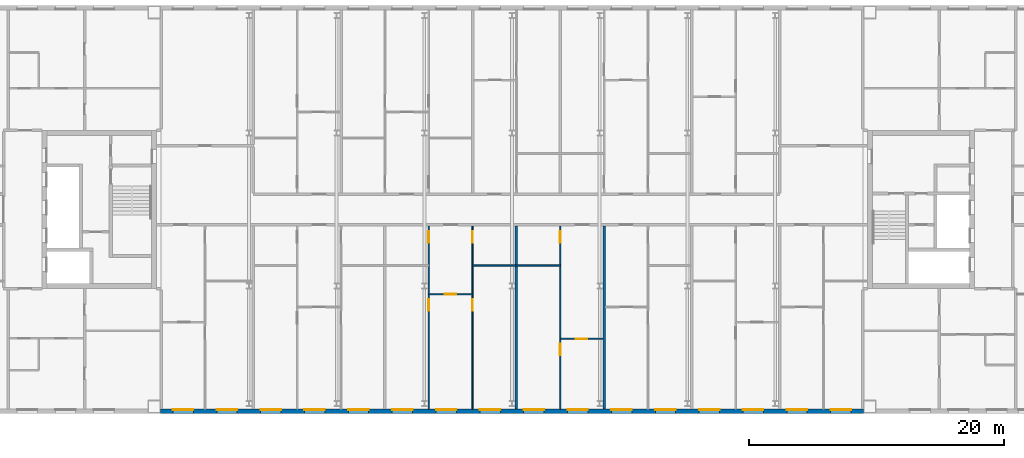
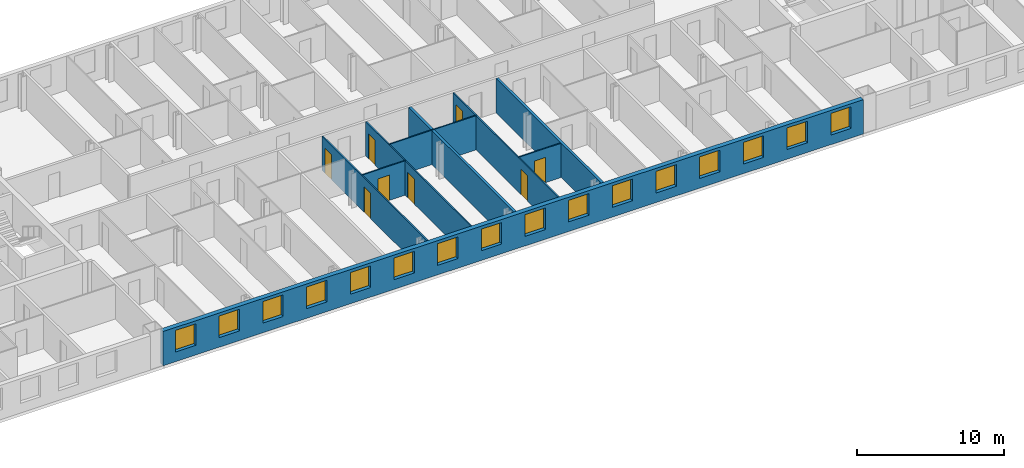
# One storey, part 10 of 19: 16 windows, 9 walls, 8 doors, 24 openings.
"""IFC4 building model written with IfcOpenShell, lengths in metres."""

from ifc_helpers import new_model, si_unit, direction, frame, frame_2d, origin, place, context, subcontext, project, spatial, rectangle, extrude, material, layer, layer_set, type_object, element, fill, save


model = new_model("IFC4")

# Units and contexts
model_context = context("Model", 3, precision=1e-05, world=origin(), true_north=direction((0.0, 1.0)))
body_context = subcontext(model_context, "Body", "Model", "MODEL_VIEW")
ifc_project = project(units=[si_unit("LENGTHUNIT", "METRE"), si_unit("AREAUNIT", "SQUARE_METRE"), si_unit("VOLUMEUNIT", "CUBIC_METRE"), si_unit("PLANEANGLEUNIT", "RADIAN"), si_unit("MASSUNIT", "GRAM", prefix="KILO")], contexts=[model_context])

# Site, building, storey
site_placement = place(None, origin())
site = spatial("IfcSite", under=ifc_project, at=site_placement, CompositionType="ELEMENT")
building_placement = place(site_placement, origin())
building = spatial("IfcBuilding", under=site, at=building_placement, Name="Tuart Gate Housing", CompositionType="ELEMENT")
storey_placement = place(building_placement, frame((0.0, 0.0, 227.60009765625)))
storey = spatial("IfcBuildingStorey", under=building, at=storey_placement, Name="L64", CompositionType="ELEMENT", Elevation=227.60009765625)

# Wall, openings, windows
ifc_material_1 = material(Name="Brick", Category="masonry")
ifc_layer_1 = layer(ifc_material_1, 0.360107421875)
ifc_layer_set_1 = layer_set([ifc_layer_1], Name="Brick pier and spandrel wall 360")
wall_type_1 = type_object("IfcWallType", Name="Brick pier and spandrel wall 360", PredefinedType="STANDARD", material=ifc_layer_set_1)
wall_1_placement = place(storey_placement, frame((75.949951171875, 54.179931640625, 0.0), z_axis=(0.0, 0.0, 1.0), x_axis=(1.0, 0.0, 0.0)))
wall_1 = element("IfcWall", 1, at=wall_1_placement, inside=storey, type_object=wall_type_1, Name="External wall BLK-S L64", PredefinedType="STANDARD", context=body_context, shape_type="SweptSolid", body=[
    extrude(rectangle(XDim=55.10009765625, YDim=0.360107421875, at=frame_2d((27.550048828125, 0.0))), origin(), (0.0, 0.0, 1.0), 2.849853515625),
])
opening_1_placement = place(wall_1_placement, frame((0.96875, 0.0, 0.800048828125)))
opening_1 = element("IfcOpeningElement", 2, at=opening_1_placement, cuts=wall_1, Name="Opening W1", PredefinedType="OPENING", context=body_context, shape_type="SweptSolid", body=[
    extrude(rectangle(XDim=1.60009765625, YDim=1.800048828125, at=frame_2d((0.800048828125, 0.89990234375))), frame((0.0, 0.18994140625, 0.0), z_axis=(0.0, -1.0, 0.0), x_axis=(1.0, 0.0, 0.0)), (0.0, 0.0, 1.0), 0.380126953125),
])
opening_2_placement = place(wall_1_placement, frame((4.40625, 0.0, 0.800048828125)))
opening_2 = element("IfcOpeningElement", 3, at=opening_2_placement, cuts=wall_1, Name="Opening W1", PredefinedType="OPENING", context=body_context, shape_type="SweptSolid", body=[
    extrude(rectangle(XDim=1.60009765625, YDim=1.800048828125, at=frame_2d((0.800048828125, 0.89990234375))), frame((0.0, 0.18994140625, 0.0), z_axis=(0.0, -1.0, 0.0), x_axis=(1.0, 0.0, 0.0)), (0.0, 0.0, 1.0), 0.380126953125),
])
opening_3_placement = place(wall_1_placement, frame((7.84375, 0.0, 0.800048828125)))
opening_3 = element("IfcOpeningElement", 4, at=opening_3_placement, cuts=wall_1, Name="Opening W1", PredefinedType="OPENING", context=body_context, shape_type="SweptSolid", body=[
    extrude(rectangle(XDim=1.60009765625, YDim=1.800048828125, at=frame_2d((0.800048828125, 0.89990234375))), frame((0.0, 0.18994140625, 0.0), z_axis=(0.0, -1.0, 0.0), x_axis=(1.0, 0.0, 0.0)), (0.0, 0.0, 1.0), 0.380126953125),
])
opening_4_placement = place(wall_1_placement, frame((11.28125, 0.0, 0.800048828125)))
opening_4 = element("IfcOpeningElement", 5, at=opening_4_placement, cuts=wall_1, Name="Opening W1", PredefinedType="OPENING", context=body_context, shape_type="SweptSolid", body=[
    extrude(rectangle(XDim=1.60009765625, YDim=1.800048828125, at=frame_2d((0.800048828125, 0.89990234375))), frame((0.0, 0.18994140625, 0.0), z_axis=(0.0, -1.0, 0.0), x_axis=(1.0, 0.0, 0.0)), (0.0, 0.0, 1.0), 0.380126953125),
])
opening_5_placement = place(wall_1_placement, frame((14.71875, 0.0, 0.800048828125)))
opening_5 = element("IfcOpeningElement", 6, at=opening_5_placement, cuts=wall_1, Name="Opening W1", PredefinedType="OPENING", context=body_context, shape_type="SweptSolid", body=[
    extrude(rectangle(XDim=1.60009765625, YDim=1.800048828125, at=frame_2d((0.800048828125, 0.89990234375))), frame((0.0, 0.18994140625, 0.0), z_axis=(0.0, -1.0, 0.0), x_axis=(1.0, 0.0, 0.0)), (0.0, 0.0, 1.0), 0.380126953125),
])
opening_6_placement = place(wall_1_placement, frame((18.15625, 0.0, 0.800048828125)))
opening_6 = element("IfcOpeningElement", 7, at=opening_6_placement, cuts=wall_1, Name="Opening W1", PredefinedType="OPENING", context=body_context, shape_type="SweptSolid", body=[
    extrude(rectangle(XDim=1.60009765625, YDim=1.800048828125, at=frame_2d((0.800048828125, 0.89990234375))), frame((0.0, 0.18994140625, 0.0), z_axis=(0.0, -1.0, 0.0), x_axis=(1.0, 0.0, 0.0)), (0.0, 0.0, 1.0), 0.380126953125),
])
opening_7_placement = place(wall_1_placement, frame((21.59375, 0.0, 0.800048828125)))
opening_7 = element("IfcOpeningElement", 8, at=opening_7_placement, cuts=wall_1, Name="Opening W1", PredefinedType="OPENING", context=body_context, shape_type="SweptSolid", body=[
    extrude(rectangle(XDim=1.60009765625, YDim=1.800048828125, at=frame_2d((0.800048828125, 0.89990234375))), frame((0.0, 0.18994140625, 0.0), z_axis=(0.0, -1.0, 0.0), x_axis=(1.0, 0.0, 0.0)), (0.0, 0.0, 1.0), 0.380126953125),
])
opening_8_placement = place(wall_1_placement, frame((25.03125, 0.0, 0.800048828125)))
opening_8 = element("IfcOpeningElement", 9, at=opening_8_placement, cuts=wall_1, Name="Opening W1", PredefinedType="OPENING", context=body_context, shape_type="SweptSolid", body=[
    extrude(rectangle(XDim=1.60009765625, YDim=1.800048828125, at=frame_2d((0.800048828125, 0.89990234375))), frame((0.0, 0.18994140625, 0.0), z_axis=(0.0, -1.0, 0.0), x_axis=(1.0, 0.0, 0.0)), (0.0, 0.0, 1.0), 0.380126953125),
])
opening_9_placement = place(wall_1_placement, frame((28.46875, 0.0, 0.800048828125)))
opening_9 = element("IfcOpeningElement", 10, at=opening_9_placement, cuts=wall_1, Name="Opening W1", PredefinedType="OPENING", context=body_context, shape_type="SweptSolid", body=[
    extrude(rectangle(XDim=1.60009765625, YDim=1.800048828125, at=frame_2d((0.800048828125, 0.89990234375))), frame((0.0, 0.18994140625, 0.0), z_axis=(0.0, -1.0, 0.0), x_axis=(1.0, 0.0, 0.0)), (0.0, 0.0, 1.0), 0.380126953125),
])
opening_10_placement = place(wall_1_placement, frame((31.90625, 0.0, 0.800048828125)))
opening_10 = element("IfcOpeningElement", 11, at=opening_10_placement, cuts=wall_1, Name="Opening W1", PredefinedType="OPENING", context=body_context, shape_type="SweptSolid", body=[
    extrude(rectangle(XDim=1.60009765625, YDim=1.800048828125, at=frame_2d((0.800048828125, 0.89990234375))), frame((0.0, 0.18994140625, 0.0), z_axis=(0.0, -1.0, 0.0), x_axis=(1.0, 0.0, 0.0)), (0.0, 0.0, 1.0), 0.380126953125),
])
opening_11_placement = place(wall_1_placement, frame((35.34375, 0.0, 0.800048828125)))
opening_11 = element("IfcOpeningElement", 12, at=opening_11_placement, cuts=wall_1, Name="Opening W1", PredefinedType="OPENING", context=body_context, shape_type="SweptSolid", body=[
    extrude(rectangle(XDim=1.60009765625, YDim=1.800048828125, at=frame_2d((0.800048828125, 0.89990234375))), frame((0.0, 0.18994140625, 0.0), z_axis=(0.0, -1.0, 0.0), x_axis=(1.0, 0.0, 0.0)), (0.0, 0.0, 1.0), 0.380126953125),
])
opening_12_placement = place(wall_1_placement, frame((38.78125, 0.0, 0.800048828125)))
opening_12 = element("IfcOpeningElement", 13, at=opening_12_placement, cuts=wall_1, Name="Opening W1", PredefinedType="OPENING", context=body_context, shape_type="SweptSolid", body=[
    extrude(rectangle(XDim=1.60009765625, YDim=1.800048828125, at=frame_2d((0.800048828125, 0.89990234375))), frame((0.0, 0.18994140625, 0.0), z_axis=(0.0, -1.0, 0.0), x_axis=(1.0, 0.0, 0.0)), (0.0, 0.0, 1.0), 0.380126953125),
])
opening_13_placement = place(wall_1_placement, frame((42.21875, 0.0, 0.800048828125)))
opening_13 = element("IfcOpeningElement", 14, at=opening_13_placement, cuts=wall_1, Name="Opening W1", PredefinedType="OPENING", context=body_context, shape_type="SweptSolid", body=[
    extrude(rectangle(XDim=1.60009765625, YDim=1.800048828125, at=frame_2d((0.800048828125, 0.89990234375))), frame((0.0, 0.18994140625, 0.0), z_axis=(0.0, -1.0, 0.0), x_axis=(1.0, 0.0, 0.0)), (0.0, 0.0, 1.0), 0.380126953125),
])
opening_14_placement = place(wall_1_placement, frame((45.65625, 0.0, 0.800048828125)))
opening_14 = element("IfcOpeningElement", 15, at=opening_14_placement, cuts=wall_1, Name="Opening W1", PredefinedType="OPENING", context=body_context, shape_type="SweptSolid", body=[
    extrude(rectangle(XDim=1.60009765625, YDim=1.800048828125, at=frame_2d((0.800048828125, 0.89990234375))), frame((0.0, 0.18994140625, 0.0), z_axis=(0.0, -1.0, 0.0), x_axis=(1.0, 0.0, 0.0)), (0.0, 0.0, 1.0), 0.380126953125),
])
opening_15_placement = place(wall_1_placement, frame((49.09375, 0.0, 0.800048828125)))
opening_15 = element("IfcOpeningElement", 16, at=opening_15_placement, cuts=wall_1, Name="Opening W1", PredefinedType="OPENING", context=body_context, shape_type="SweptSolid", body=[
    extrude(rectangle(XDim=1.60009765625, YDim=1.800048828125, at=frame_2d((0.800048828125, 0.89990234375))), frame((0.0, 0.18994140625, 0.0), z_axis=(0.0, -1.0, 0.0), x_axis=(1.0, 0.0, 0.0)), (0.0, 0.0, 1.0), 0.380126953125),
])
opening_16_placement = place(wall_1_placement, frame((52.53125, 0.0, 0.800048828125)))
opening_16 = element("IfcOpeningElement", 17, at=opening_16_placement, cuts=wall_1, Name="Opening W1", PredefinedType="OPENING", context=body_context, shape_type="SweptSolid", body=[
    extrude(rectangle(XDim=1.60009765625, YDim=1.800048828125, at=frame_2d((0.800048828125, 0.89990234375))), frame((0.0, 0.18994140625, 0.0), z_axis=(0.0, -1.0, 0.0), x_axis=(1.0, 0.0, 0.0)), (0.0, 0.0, 1.0), 0.380126953125),
])
ifc_material_2 = material(Name="Aluminium frame with clear glass", Category="aluminium")
window_type = type_object("IfcWindowType", Name="Punched window 1600 x 1800", PartitioningType="SINGLE_PANEL", PredefinedType="WINDOW", material=ifc_material_2)
window_1_placement = place(opening_1_placement, origin())
window_1 = element("IfcWindow", 18, at=window_1_placement, inside=storey, type_object=window_type, Name="Window W1", OverallHeight=1.800048828125, OverallWidth=1.60009765625, PartitioningType="SINGLE_PANEL", PredefinedType="WINDOW", context=body_context, shape_type="SweptSolid", body=[
    extrude(rectangle(XDim=1.60009765625, YDim=1.800048828125, at=frame_2d((0.800048828125, 0.89990234375))), frame((0.0, 0.150146484375, 0.0), z_axis=(0.0, -1.0, 0.0), x_axis=(1.0, 0.0, 0.0)), (0.0, 0.0, 1.0), 0.06005859375),
])
fill(opening_1, window_1)
window_2_placement = place(opening_2_placement, origin())
window_2 = element("IfcWindow", 19, at=window_2_placement, inside=storey, type_object=window_type, Name="Window W1", OverallHeight=1.800048828125, OverallWidth=1.60009765625, PartitioningType="SINGLE_PANEL", PredefinedType="WINDOW", context=body_context, shape_type="SweptSolid", body=[
    extrude(rectangle(XDim=1.60009765625, YDim=1.800048828125, at=frame_2d((0.800048828125, 0.89990234375))), frame((0.0, 0.150146484375, 0.0), z_axis=(0.0, -1.0, 0.0), x_axis=(1.0, 0.0, 0.0)), (0.0, 0.0, 1.0), 0.06005859375),
])
fill(opening_2, window_2)
window_3_placement = place(opening_3_placement, origin())
window_3 = element("IfcWindow", 20, at=window_3_placement, inside=storey, type_object=window_type, Name="Window W1", OverallHeight=1.800048828125, OverallWidth=1.60009765625, PartitioningType="SINGLE_PANEL", PredefinedType="WINDOW", context=body_context, shape_type="SweptSolid", body=[
    extrude(rectangle(XDim=1.60009765625, YDim=1.800048828125, at=frame_2d((0.800048828125, 0.89990234375))), frame((0.0, 0.150146484375, 0.0), z_axis=(0.0, -1.0, 0.0), x_axis=(1.0, 0.0, 0.0)), (0.0, 0.0, 1.0), 0.06005859375),
])
fill(opening_3, window_3)
window_4_placement = place(opening_4_placement, origin())
window_4 = element("IfcWindow", 21, at=window_4_placement, inside=storey, type_object=window_type, Name="Window W1", OverallHeight=1.800048828125, OverallWidth=1.60009765625, PartitioningType="SINGLE_PANEL", PredefinedType="WINDOW", context=body_context, shape_type="SweptSolid", body=[
    extrude(rectangle(XDim=1.60009765625, YDim=1.800048828125, at=frame_2d((0.800048828125, 0.89990234375))), frame((0.0, 0.150146484375, 0.0), z_axis=(0.0, -1.0, 0.0), x_axis=(1.0, 0.0, 0.0)), (0.0, 0.0, 1.0), 0.06005859375),
])
fill(opening_4, window_4)
window_5_placement = place(opening_5_placement, origin())
window_5 = element("IfcWindow", 22, at=window_5_placement, inside=storey, type_object=window_type, Name="Window W1", OverallHeight=1.800048828125, OverallWidth=1.60009765625, PartitioningType="SINGLE_PANEL", PredefinedType="WINDOW", context=body_context, shape_type="SweptSolid", body=[
    extrude(rectangle(XDim=1.60009765625, YDim=1.800048828125, at=frame_2d((0.800048828125, 0.89990234375))), frame((0.0, 0.150146484375, 0.0), z_axis=(0.0, -1.0, 0.0), x_axis=(1.0, 0.0, 0.0)), (0.0, 0.0, 1.0), 0.06005859375),
])
fill(opening_5, window_5)
window_6_placement = place(opening_6_placement, origin())
window_6 = element("IfcWindow", 23, at=window_6_placement, inside=storey, type_object=window_type, Name="Window W1", OverallHeight=1.800048828125, OverallWidth=1.60009765625, PartitioningType="SINGLE_PANEL", PredefinedType="WINDOW", context=body_context, shape_type="SweptSolid", body=[
    extrude(rectangle(XDim=1.60009765625, YDim=1.800048828125, at=frame_2d((0.800048828125, 0.89990234375))), frame((0.0, 0.150146484375, 0.0), z_axis=(0.0, -1.0, 0.0), x_axis=(1.0, 0.0, 0.0)), (0.0, 0.0, 1.0), 0.06005859375),
])
fill(opening_6, window_6)
window_7_placement = place(opening_7_placement, origin())
window_7 = element("IfcWindow", 24, at=window_7_placement, inside=storey, type_object=window_type, Name="Window W1", OverallHeight=1.800048828125, OverallWidth=1.60009765625, PartitioningType="SINGLE_PANEL", PredefinedType="WINDOW", context=body_context, shape_type="SweptSolid", body=[
    extrude(rectangle(XDim=1.60009765625, YDim=1.800048828125, at=frame_2d((0.800048828125, 0.89990234375))), frame((0.0, 0.150146484375, 0.0), z_axis=(0.0, -1.0, 0.0), x_axis=(1.0, 0.0, 0.0)), (0.0, 0.0, 1.0), 0.06005859375),
])
fill(opening_7, window_7)
window_8_placement = place(opening_8_placement, origin())
window_8 = element("IfcWindow", 25, at=window_8_placement, inside=storey, type_object=window_type, Name="Window W1", OverallHeight=1.800048828125, OverallWidth=1.60009765625, PartitioningType="SINGLE_PANEL", PredefinedType="WINDOW", context=body_context, shape_type="SweptSolid", body=[
    extrude(rectangle(XDim=1.60009765625, YDim=1.800048828125, at=frame_2d((0.800048828125, 0.89990234375))), frame((0.0, 0.150146484375, 0.0), z_axis=(0.0, -1.0, 0.0), x_axis=(1.0, 0.0, 0.0)), (0.0, 0.0, 1.0), 0.06005859375),
])
fill(opening_8, window_8)
window_9_placement = place(opening_9_placement, origin())
window_9 = element("IfcWindow", 26, at=window_9_placement, inside=storey, type_object=window_type, Name="Window W1", OverallHeight=1.800048828125, OverallWidth=1.60009765625, PartitioningType="SINGLE_PANEL", PredefinedType="WINDOW", context=body_context, shape_type="SweptSolid", body=[
    extrude(rectangle(XDim=1.60009765625, YDim=1.800048828125, at=frame_2d((0.800048828125, 0.89990234375))), frame((0.0, 0.150146484375, 0.0), z_axis=(0.0, -1.0, 0.0), x_axis=(1.0, 0.0, 0.0)), (0.0, 0.0, 1.0), 0.06005859375),
])
fill(opening_9, window_9)
window_10_placement = place(opening_10_placement, origin())
window_10 = element("IfcWindow", 27, at=window_10_placement, inside=storey, type_object=window_type, Name="Window W1", OverallHeight=1.800048828125, OverallWidth=1.60009765625, PartitioningType="SINGLE_PANEL", PredefinedType="WINDOW", context=body_context, shape_type="SweptSolid", body=[
    extrude(rectangle(XDim=1.60009765625, YDim=1.800048828125, at=frame_2d((0.800048828125, 0.89990234375))), frame((0.0, 0.150146484375, 0.0), z_axis=(0.0, -1.0, 0.0), x_axis=(1.0, 0.0, 0.0)), (0.0, 0.0, 1.0), 0.06005859375),
])
fill(opening_10, window_10)
window_11_placement = place(opening_11_placement, origin())
window_11 = element("IfcWindow", 28, at=window_11_placement, inside=storey, type_object=window_type, Name="Window W1", OverallHeight=1.800048828125, OverallWidth=1.60009765625, PartitioningType="SINGLE_PANEL", PredefinedType="WINDOW", context=body_context, shape_type="SweptSolid", body=[
    extrude(rectangle(XDim=1.60009765625, YDim=1.800048828125, at=frame_2d((0.800048828125, 0.89990234375))), frame((0.0, 0.150146484375, 0.0), z_axis=(0.0, -1.0, 0.0), x_axis=(1.0, 0.0, 0.0)), (0.0, 0.0, 1.0), 0.06005859375),
])
fill(opening_11, window_11)
window_12_placement = place(opening_12_placement, origin())
window_12 = element("IfcWindow", 29, at=window_12_placement, inside=storey, type_object=window_type, Name="Window W1", OverallHeight=1.800048828125, OverallWidth=1.60009765625, PartitioningType="SINGLE_PANEL", PredefinedType="WINDOW", context=body_context, shape_type="SweptSolid", body=[
    extrude(rectangle(XDim=1.60009765625, YDim=1.800048828125, at=frame_2d((0.800048828125, 0.89990234375))), frame((0.0, 0.150146484375, 0.0), z_axis=(0.0, -1.0, 0.0), x_axis=(1.0, 0.0, 0.0)), (0.0, 0.0, 1.0), 0.06005859375),
])
fill(opening_12, window_12)
window_13_placement = place(opening_13_placement, origin())
window_13 = element("IfcWindow", 30, at=window_13_placement, inside=storey, type_object=window_type, Name="Window W1", OverallHeight=1.800048828125, OverallWidth=1.60009765625, PartitioningType="SINGLE_PANEL", PredefinedType="WINDOW", context=body_context, shape_type="SweptSolid", body=[
    extrude(rectangle(XDim=1.60009765625, YDim=1.800048828125, at=frame_2d((0.800048828125, 0.89990234375))), frame((0.0, 0.150146484375, 0.0), z_axis=(0.0, -1.0, 0.0), x_axis=(1.0, 0.0, 0.0)), (0.0, 0.0, 1.0), 0.06005859375),
])
fill(opening_13, window_13)
window_14_placement = place(opening_14_placement, origin())
window_14 = element("IfcWindow", 31, at=window_14_placement, inside=storey, type_object=window_type, Name="Window W1", OverallHeight=1.800048828125, OverallWidth=1.60009765625, PartitioningType="SINGLE_PANEL", PredefinedType="WINDOW", context=body_context, shape_type="SweptSolid", body=[
    extrude(rectangle(XDim=1.60009765625, YDim=1.800048828125, at=frame_2d((0.800048828125, 0.89990234375))), frame((0.0, 0.150146484375, 0.0), z_axis=(0.0, -1.0, 0.0), x_axis=(1.0, 0.0, 0.0)), (0.0, 0.0, 1.0), 0.06005859375),
])
fill(opening_14, window_14)
window_15_placement = place(opening_15_placement, origin())
window_15 = element("IfcWindow", 32, at=window_15_placement, inside=storey, type_object=window_type, Name="Window W1", OverallHeight=1.800048828125, OverallWidth=1.60009765625, PartitioningType="SINGLE_PANEL", PredefinedType="WINDOW", context=body_context, shape_type="SweptSolid", body=[
    extrude(rectangle(XDim=1.60009765625, YDim=1.800048828125, at=frame_2d((0.800048828125, 0.89990234375))), frame((0.0, 0.150146484375, 0.0), z_axis=(0.0, -1.0, 0.0), x_axis=(1.0, 0.0, 0.0)), (0.0, 0.0, 1.0), 0.06005859375),
])
fill(opening_15, window_15)
window_16_placement = place(opening_16_placement, origin())
window_16 = element("IfcWindow", 33, at=window_16_placement, inside=storey, type_object=window_type, Name="Window W1", OverallHeight=1.800048828125, OverallWidth=1.60009765625, PartitioningType="SINGLE_PANEL", PredefinedType="WINDOW", context=body_context, shape_type="SweptSolid", body=[
    extrude(rectangle(XDim=1.60009765625, YDim=1.800048828125, at=frame_2d((0.800048828125, 0.89990234375))), frame((0.0, 0.150146484375, 0.0), z_axis=(0.0, -1.0, 0.0), x_axis=(1.0, 0.0, 0.0)), (0.0, 0.0, 1.0), 0.06005859375),
])
fill(opening_16, window_16)

# Wall, opening, door
ifc_material_3 = material(Name="Gypsum board on steel studs", Category="steel")
ifc_layer_2 = layer(ifc_material_3, 0.10009765625)
ifc_layer_set_2 = layer_set([ifc_layer_2], Name="Partition 100")
wall_type_2 = type_object("IfcWallType", Name="Partition 100", PredefinedType="PARTITIONING", material=ifc_layer_set_2)
wall_2_placement = place(storey_placement, frame((107.287109375, 59.860107421875, 0.0), z_axis=(0.0, 0.0, 1.0), x_axis=(1.0, 0.0, 0.0)))
wall_2 = element("IfcWall", 34, at=wall_2_placement, inside=storey, type_object=wall_type_2, Name="Partition 100", PredefinedType="PARTITIONING", context=body_context, shape_type="SweptSolid", body=[
    extrude(rectangle(XDim=3.337890625, YDim=0.10009765625, at=frame_2d((1.6689453125, 0.0))), origin(), (0.0, 0.0, 1.0), 2.849853515625),
])
opening_17_placement = place(wall_2_placement, frame((1.218994140625, 0.0, 0.0)))
opening_17 = element("IfcOpeningElement", 35, at=opening_17_placement, cuts=wall_2, Name="Opening D2390", PredefinedType="OPENING", context=body_context, shape_type="SweptSolid", body=[
    extrude(rectangle(XDim=0.89990234375, YDim=2.10009765625, at=frame_2d((0.449951171875, 1.050048828125))), frame((0.0, 0.06005859375, 0.0), z_axis=(0.0, -1.0, 0.0), x_axis=(1.0, 0.0, 0.0)), (0.0, 0.0, 1.0), 0.1201171875),
])
ifc_material_4 = material(Name="Timber door leaf in steel frame", Category="steel")
door_type_1 = type_object("IfcDoorType", Name="Internal door 900", OperationType="SINGLE_SWING_LEFT", PredefinedType="DOOR", material=ifc_material_4)
door_1_placement = place(opening_17_placement, origin())
door_1 = element("IfcDoor", 36, at=door_1_placement, inside=storey, type_object=door_type_1, Name="Internal door", OperationType="SINGLE_SWING_LEFT", OverallHeight=2.10009765625, OverallWidth=0.89990234375, PredefinedType="DOOR", context=body_context, shape_type="SweptSolid", body=[
    extrude(rectangle(XDim=0.89990234375, YDim=2.10009765625, at=frame_2d((0.449951171875, 1.050048828125))), frame((0.0, 0.02490234375, 0.0), z_axis=(0.0, -1.0, 0.0), x_axis=(1.0, 0.0, 0.0)), (0.0, 0.0, 1.0), 0.050048828125),
])
fill(opening_17, door_1)

wall_3_placement = place(storey_placement, frame((96.97509765625, 63.360107421875, 0.0), z_axis=(0.0, 0.0, 1.0), x_axis=(1.0, 0.0, 0.0)))
wall_3 = element("IfcWall", 37, at=wall_3_placement, inside=storey, type_object=wall_type_2, Name="Partition 100", PredefinedType="PARTITIONING", context=body_context, shape_type="SweptSolid", body=[
    extrude(rectangle(XDim=3.43701171875, YDim=0.10009765625, at=frame_2d((1.718505859375, 0.0))), origin(), (0.0, 0.0, 1.0), 2.849853515625),
])
opening_18_placement = place(wall_3_placement, frame((1.2685546875, 0.0, 0.0)))
opening_18 = element("IfcOpeningElement", 38, at=opening_18_placement, cuts=wall_3, Name="Opening D2366", PredefinedType="OPENING", context=body_context, shape_type="SweptSolid", body=[
    extrude(rectangle(XDim=0.89990234375, YDim=2.10009765625, at=frame_2d((0.449951171875, 1.050048828125))), frame((0.0, 0.06005859375, 0.0), z_axis=(0.0, -1.0, 0.0), x_axis=(1.0, 0.0, 0.0)), (0.0, 0.0, 1.0), 0.1201171875),
])
door_2_placement = place(opening_18_placement, origin())
door_2 = element("IfcDoor", 39, at=door_2_placement, inside=storey, type_object=door_type_1, Name="Internal door", OperationType="SINGLE_SWING_LEFT", OverallHeight=2.10009765625, OverallWidth=0.89990234375, PredefinedType="DOOR", context=body_context, shape_type="SweptSolid", body=[
    extrude(rectangle(XDim=0.89990234375, YDim=2.10009765625, at=frame_2d((0.449951171875, 1.050048828125))), frame((0.0, 0.02490234375, 0.0), z_axis=(0.0, -1.0, 0.0), x_axis=(1.0, 0.0, 0.0)), (0.0, 0.0, 1.0), 0.050048828125),
])
fill(opening_18, door_2)

# Wall
wall_4_placement = place(storey_placement, frame((100.412109375, 65.60009765625, 0.0), z_axis=(0.0, 0.0, 1.0), x_axis=(1.0, 0.0, 0.0)))
element("IfcWall", 40, at=wall_4_placement, inside=storey, type_object=wall_type_2, Name="Partition 100", PredefinedType="PARTITIONING", context=body_context, shape_type="SweptSolid", body=[
    extrude(rectangle(XDim=6.875, YDim=0.10009765625, at=frame_2d((3.4375, 0.0))), origin(), (0.0, 0.0, 1.0), 2.849853515625),
])

# Wall, openings, doors
wall_5_placement = place(storey_placement, frame((96.97509765625, 54.360107421875, 0.0), z_axis=(0.0, 0.0, 1.0), x_axis=(0.0, 1.0, 0.0)))
wall_5 = element("IfcWall", 41, at=wall_5_placement, inside=storey, type_object=wall_type_2, Name="Partition 100", PredefinedType="PARTITIONING", context=body_context, shape_type="SweptSolid", body=[
    extrude(rectangle(XDim=14.33984375, YDim=0.10009765625, at=frame_2d((7.169921875, 0.0))), origin(), (0.0, 0.0, 1.0), 2.849853515625),
])
opening_19_placement = place(wall_5_placement, frame((7.699951171875, 0.0, 0.0)))
opening_19 = element("IfcOpeningElement", 42, at=opening_19_placement, cuts=wall_5, Name="Opening D2377", PredefinedType="OPENING", context=body_context, shape_type="SweptSolid", body=[
    extrude(rectangle(XDim=0.89990234375, YDim=2.10009765625, at=frame_2d((0.449951171875, 1.050048828125))), frame((0.0, 0.06005859375, 0.0), z_axis=(0.0, -1.0, 0.0), x_axis=(1.0, 0.0, 0.0)), (0.0, 0.0, 1.0), 0.1201171875),
])
opening_20_placement = place(wall_5_placement, frame((13.0400390625, 0.0, 0.0)))
opening_20 = element("IfcOpeningElement", 43, at=opening_20_placement, cuts=wall_5, Name="Opening D2376", PredefinedType="OPENING", context=body_context, shape_type="SweptSolid", body=[
    extrude(rectangle(XDim=0.89990234375, YDim=2.10009765625, at=frame_2d((0.449951171875, 1.050048828125))), frame((0.0, 0.06005859375, 0.0), z_axis=(0.0, -1.0, 0.0), x_axis=(1.0, 0.0, 0.0)), (0.0, 0.0, 1.0), 0.1201171875),
])
ifc_material_5 = material(Name="Timber door leaf in steel frame", Category="steel")
door_type_2 = type_object("IfcDoorType", Name="Bathroom door 900 RH", OperationType="SINGLE_SWING_RIGHT", PredefinedType="DOOR", material=ifc_material_5)
door_3_placement = place(opening_20_placement, origin())
door_3 = element("IfcDoor", 44, at=door_3_placement, inside=storey, type_object=door_type_2, Name="Bathroom door", OperationType="SINGLE_SWING_RIGHT", OverallHeight=2.10009765625, OverallWidth=0.89990234375, PredefinedType="DOOR", context=body_context, shape_type="SweptSolid", body=[
    extrude(rectangle(XDim=0.89990234375, YDim=2.10009765625, at=frame_2d((0.449951171875, 1.050048828125))), frame((0.0, 0.02490234375, 0.0), z_axis=(0.0, -1.0, 0.0), x_axis=(1.0, 0.0, 0.0)), (0.0, 0.0, 1.0), 0.050048828125),
])
fill(opening_20, door_3)
ifc_material_6 = material(Name="Timber door leaf in steel frame", Category="steel")
door_type_3 = type_object("IfcDoorType", Name="Internal door 900 RH", OperationType="SINGLE_SWING_RIGHT", PredefinedType="DOOR", material=ifc_material_6)
door_4_placement = place(opening_19_placement, origin())
door_4 = element("IfcDoor", 45, at=door_4_placement, inside=storey, type_object=door_type_3, Name="Internal door", OperationType="SINGLE_SWING_RIGHT", OverallHeight=2.10009765625, OverallWidth=0.89990234375, PredefinedType="DOOR", context=body_context, shape_type="SweptSolid", body=[
    extrude(rectangle(XDim=0.89990234375, YDim=2.10009765625, at=frame_2d((0.449951171875, 1.050048828125))), frame((0.0, 0.02490234375, 0.0), z_axis=(0.0, -1.0, 0.0), x_axis=(1.0, 0.0, 0.0)), (0.0, 0.0, 1.0), 0.050048828125),
])
fill(opening_19, door_4)

wall_6_placement = place(storey_placement, frame((100.412109375, 54.360107421875, 0.0), z_axis=(0.0, 0.0, 1.0), x_axis=(0.0, 1.0, 0.0)))
wall_6 = element("IfcWall", 46, at=wall_6_placement, inside=storey, type_object=wall_type_2, Name="Partition 100", PredefinedType="PARTITIONING", context=body_context, shape_type="SweptSolid", body=[
    extrude(rectangle(XDim=14.33984375, YDim=0.10009765625, at=frame_2d((7.169921875, 0.0))), origin(), (0.0, 0.0, 1.0), 2.849853515625),
])
opening_21_placement = place(wall_6_placement, frame((7.699951171875, 0.0, 0.0)))
opening_21 = element("IfcOpeningElement", 47, at=opening_21_placement, cuts=wall_6, Name="Opening D2379", PredefinedType="OPENING", context=body_context, shape_type="SweptSolid", body=[
    extrude(rectangle(XDim=0.89990234375, YDim=2.10009765625, at=frame_2d((0.449951171875, 1.050048828125))), frame((0.0, 0.06005859375, 0.0), z_axis=(0.0, -1.0, 0.0), x_axis=(1.0, 0.0, 0.0)), (0.0, 0.0, 1.0), 0.1201171875),
])
opening_22_placement = place(wall_6_placement, frame((13.0400390625, 0.0, 0.0)))
opening_22 = element("IfcOpeningElement", 48, at=opening_22_placement, cuts=wall_6, Name="Opening D2378", PredefinedType="OPENING", context=body_context, shape_type="SweptSolid", body=[
    extrude(rectangle(XDim=0.89990234375, YDim=2.10009765625, at=frame_2d((0.449951171875, 1.050048828125))), frame((0.0, 0.06005859375, 0.0), z_axis=(0.0, -1.0, 0.0), x_axis=(1.0, 0.0, 0.0)), (0.0, 0.0, 1.0), 0.1201171875),
])
ifc_material_7 = material(Name="Timber door leaf in steel frame", Category="steel")
door_type_4 = type_object("IfcDoorType", Name="Bathroom door 900", OperationType="SINGLE_SWING_LEFT", PredefinedType="DOOR", material=ifc_material_7)
door_5_placement = place(opening_22_placement, frame((0.89990234375, 0.0, 0.0), z_axis=(0.0, 0.0, 1.0), x_axis=(-1.0, 0.0, 0.0)))
door_5 = element("IfcDoor", 49, at=door_5_placement, inside=storey, type_object=door_type_4, Name="Bathroom door", OperationType="SINGLE_SWING_LEFT", OverallHeight=2.10009765625, OverallWidth=0.89990234375, PredefinedType="DOOR", context=body_context, shape_type="SweptSolid", body=[
    extrude(rectangle(XDim=0.89990234375, YDim=2.10009765625, at=frame_2d((0.449951171875, 1.050048828125))), frame((0.0, 0.025146484375, 0.0), z_axis=(0.0, -1.0, 0.0), x_axis=(1.0, 0.0, 0.0)), (0.0, 0.0, 1.0), 0.050048828125),
])
fill(opening_22, door_5)
door_6_placement = place(opening_21_placement, frame((0.89990234375, 0.0, 0.0), z_axis=(0.0, 0.0, 1.0), x_axis=(-1.0, 0.0, 0.0)))
door_6 = element("IfcDoor", 50, at=door_6_placement, inside=storey, type_object=door_type_1, Name="Internal door", OperationType="SINGLE_SWING_LEFT", OverallHeight=2.10009765625, OverallWidth=0.89990234375, PredefinedType="DOOR", context=body_context, shape_type="SweptSolid", body=[
    extrude(rectangle(XDim=0.89990234375, YDim=2.10009765625, at=frame_2d((0.449951171875, 1.050048828125))), frame((0.0, 0.025146484375, 0.0), z_axis=(0.0, -1.0, 0.0), x_axis=(1.0, 0.0, 0.0)), (0.0, 0.0, 1.0), 0.050048828125),
])
fill(opening_21, door_6)

wall_7_placement = place(storey_placement, frame((107.287109375, 54.360107421875, 0.0), z_axis=(0.0, 0.0, 1.0), x_axis=(0.0, 1.0, 0.0)))
wall_7 = element("IfcWall", 51, at=wall_7_placement, inside=storey, type_object=wall_type_2, Name="Partition 100", PredefinedType="PARTITIONING", context=body_context, shape_type="SweptSolid", body=[
    extrude(rectangle(XDim=14.33984375, YDim=0.10009765625, at=frame_2d((7.169921875, 0.0))), origin(), (0.0, 0.0, 1.0), 2.849853515625),
])
opening_23_placement = place(wall_7_placement, frame((4.199951171875, 0.0, 0.0)))
opening_23 = element("IfcOpeningElement", 52, at=opening_23_placement, cuts=wall_7, Name="Opening D2381", PredefinedType="OPENING", context=body_context, shape_type="SweptSolid", body=[
    extrude(rectangle(XDim=0.89990234375, YDim=2.10009765625, at=frame_2d((0.449951171875, 1.050048828125))), frame((0.0, 0.06005859375, 0.0), z_axis=(0.0, -1.0, 0.0), x_axis=(1.0, 0.0, 0.0)), (0.0, 0.0, 1.0), 0.1201171875),
])
opening_24_placement = place(wall_7_placement, frame((13.0400390625, 0.0, 0.0)))
opening_24 = element("IfcOpeningElement", 53, at=opening_24_placement, cuts=wall_7, Name="Opening D2380", PredefinedType="OPENING", context=body_context, shape_type="SweptSolid", body=[
    extrude(rectangle(XDim=0.89990234375, YDim=2.10009765625, at=frame_2d((0.449951171875, 1.050048828125))), frame((0.0, 0.06005859375, 0.0), z_axis=(0.0, -1.0, 0.0), x_axis=(1.0, 0.0, 0.0)), (0.0, 0.0, 1.0), 0.1201171875),
])
door_7_placement = place(opening_24_placement, origin())
door_7 = element("IfcDoor", 54, at=door_7_placement, inside=storey, type_object=door_type_2, Name="Bathroom door", OperationType="SINGLE_SWING_RIGHT", OverallHeight=2.10009765625, OverallWidth=0.89990234375, PredefinedType="DOOR", context=body_context, shape_type="SweptSolid", body=[
    extrude(rectangle(XDim=0.89990234375, YDim=2.10009765625, at=frame_2d((0.449951171875, 1.050048828125))), frame((0.0, 0.02490234375, 0.0), z_axis=(0.0, -1.0, 0.0), x_axis=(1.0, 0.0, 0.0)), (0.0, 0.0, 1.0), 0.050048828125),
])
fill(opening_24, door_7)
door_8_placement = place(opening_23_placement, origin())
door_8 = element("IfcDoor", 55, at=door_8_placement, inside=storey, type_object=door_type_1, Name="Internal door", OperationType="SINGLE_SWING_LEFT", OverallHeight=2.10009765625, OverallWidth=0.89990234375, PredefinedType="DOOR", context=body_context, shape_type="SweptSolid", body=[
    extrude(rectangle(XDim=0.89990234375, YDim=2.10009765625, at=frame_2d((0.449951171875, 1.050048828125))), frame((0.0, 0.02490234375, 0.0), z_axis=(0.0, -1.0, 0.0), x_axis=(1.0, 0.0, 0.0)), (0.0, 0.0, 1.0), 0.050048828125),
])
fill(opening_23, door_8)

# Walls
ifc_material_8 = material(Name="Concrete masonry 15 MPa", Category="masonry")
ifc_layer_3 = layer(ifc_material_8, 0.199951171875)
ifc_layer_set_3 = layer_set([ifc_layer_3], Name="Party wall masonry 200")
wall_type_3 = type_object("IfcWallType", Name="Party wall masonry 200", PredefinedType="PARTITIONING", material=ifc_layer_set_3)
for number, where, z_axis, x_axis, name in (
    (56, (103.85009765625, 54.360107421875, 0.0), (0.0, 0.0, 1.0), (0.0, 1.0, 0.0), "Party wall masonry 200"),
    (57, (110.72509765625, 54.360107421875, 0.0), (0.0, 0.0, 1.0), (0.0, 1.0, 0.0), "Party wall masonry 200"),
):
    element("IfcWall", number, at=place(storey_placement, frame(where, z_axis=z_axis, x_axis=x_axis)), inside=storey, type_object=wall_type_3, Name=name, PredefinedType="PARTITIONING", context=body_context, shape_type="SweptSolid", body=[
        extrude(rectangle(XDim=14.33984375, YDim=0.199951171875, at=frame_2d((7.169921875, 0.0))), origin(), (0.0, 0.0, 1.0), 2.849853515625),
    ])

save(model, "model.ifc")
